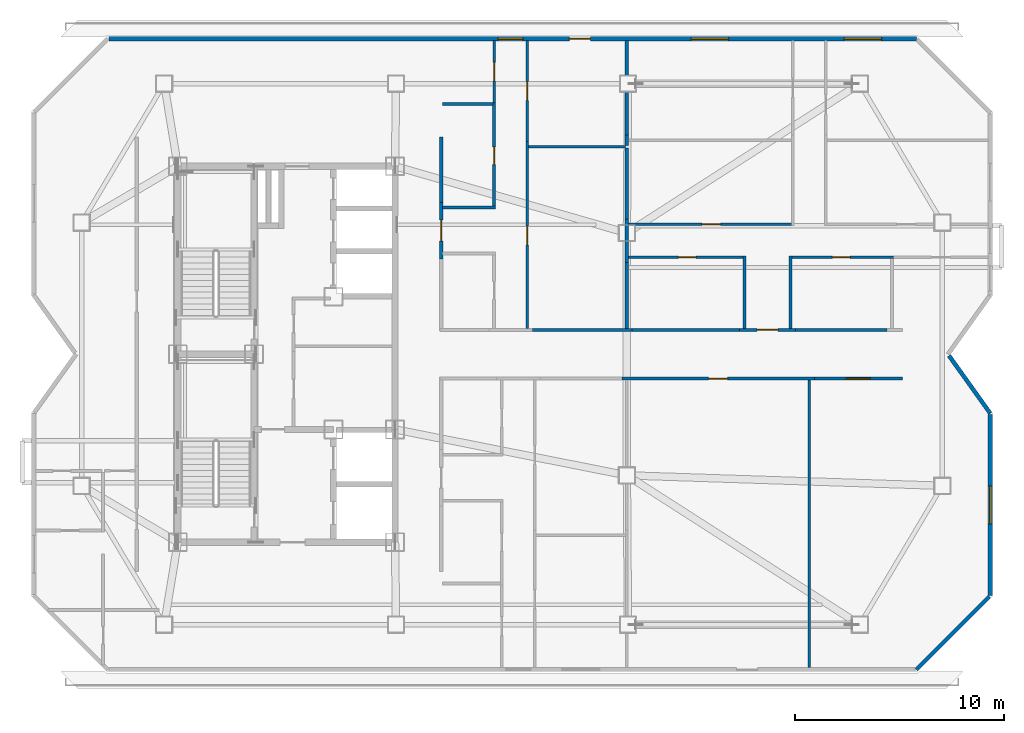
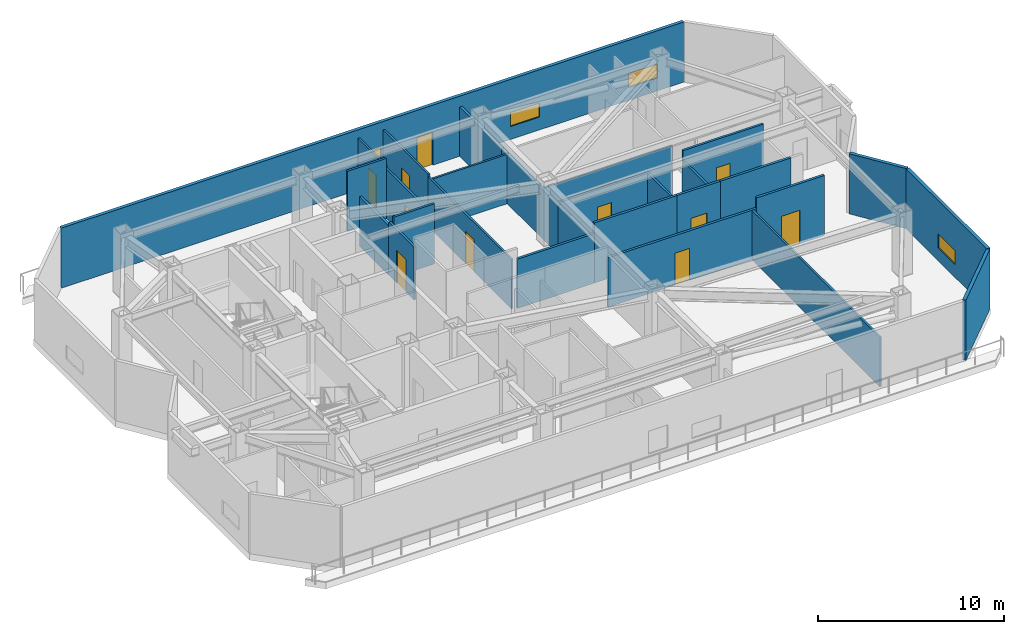
# One storey, part 6 of 11: 30 walls, 12 doors, 4 windows, 16 openings.
"""IFC4 building model written with IfcOpenShell, lengths in metres."""

from ifc_helpers import new_model, si_unit, direction, frame, frame_2d, origin, place, context, subcontext, project, spatial, rectangle, extrude, material, layer, layer_set, type_object, element, fill, save


model = new_model("IFC4")

# Units and contexts
model_context = context("Model", 3, precision=1e-05, world=origin(), true_north=direction((0.0, 1.0)))
body_context = subcontext(model_context, "Body", "Model", "MODEL_VIEW")
ifc_project = project(units=[si_unit("LENGTHUNIT", "METRE"), si_unit("AREAUNIT", "SQUARE_METRE"), si_unit("VOLUMEUNIT", "CUBIC_METRE"), si_unit("PLANEANGLEUNIT", "RADIAN"), si_unit("MASSUNIT", "GRAM", prefix="KILO")], contexts=[model_context])

# Site, building, storey
site_placement = place(None, origin())
site = spatial("IfcSite", under=ifc_project, at=site_placement, CompositionType="ELEMENT")
building_placement = place(site_placement, origin())
building = spatial("IfcBuilding", under=site, at=building_placement, Name="Khamvora Tower", CompositionType="ELEMENT")
storey_placement = place(building_placement, frame((0.0, 0.0, 269.449951171875)))
storey = spatial("IfcBuildingStorey", under=building, at=storey_placement, Name="L69", CompositionType="ELEMENT", Elevation=269.449951171875)

# Wall, opening, door
ifc_material_1 = material(Name="Fire-Rated Drywall and Steel Stud", Category="steel")
ifc_layer_1 = layer(ifc_material_1, 0.14990234375)
ifc_layer_set_1 = layer_set([ifc_layer_1], Name="Fire-Rated Drywall and Steel Stud")
wall_type_1 = type_object("IfcWallType", Name="WAL-CORR-150", PredefinedType="STANDARD", material=ifc_layer_set_1)
wall_1_placement = place(storey_placement, frame((59.47900390625, 26.8349609375, 0.0), z_axis=(0.0, 0.0, 1.0), x_axis=(-1.0, 0.0, 0.0)))
wall_1 = element("IfcWall", 1, at=wall_1_placement, inside=storey, type_object=wall_type_1, Name="L69 interior partition wall 005", PredefinedType="STANDARD", context=body_context, shape_type="SweptSolid", body=[
    extrude(rectangle(XDim=9.222900390625, YDim=0.14990234375, at=frame_2d((4.611328125, 0.0))), origin(), (0.0, 0.0, 1.0), 3.2451171875),
])
opening_1_placement = place(wall_1_placement, frame((4.160888671875, 0.0, 0.0)))
opening_1 = element("IfcOpeningElement", 2, at=opening_1_placement, cuts=wall_1, Name="Opening D-RM1", PredefinedType="OPENING", context=body_context, shape_type="SweptSolid", body=[
    extrude(rectangle(XDim=0.89990234375, YDim=2.10009765625, at=frame_2d((0.449951171875, 1.050048828125))), frame((0.0, 0.0849609375, 0.0), z_axis=(0.0, -1.0, 0.0), x_axis=(1.0, 0.0, 0.0)), (0.0, 0.0, 1.0), 0.169921875),
])
ifc_material_2 = material(Name="Powder-Coated Steel and Hardwood Leaf", Category="steel")
door_type_1 = type_object("IfcDoorType", Name="DOR-ROOM-900", OperationType="NOTDEFINED", PredefinedType="DOOR", material=ifc_material_2)
door_1_placement = place(opening_1_placement, origin())
door_1 = element("IfcDoor", 3, at=door_1_placement, inside=storey, type_object=door_type_1, Name="L69 interior door COR-CSAL", OperationType="SINGLE_SWING_RIGHT", OverallHeight=2.10009765625, OverallWidth=0.89990234375, PredefinedType="DOOR", context=body_context, shape_type="SweptSolid", body=[
    extrude(rectangle(XDim=0.89990234375, YDim=2.10009765625, at=frame_2d((0.449951171875, 1.050048828125))), frame((0.0, 0.02490234375, 0.0), z_axis=(0.0, -1.0, 0.0), x_axis=(1.0, 0.0, 0.0)), (0.0, 0.0, 1.0), 0.050048828125),
])
fill(opening_1, door_1)

wall_2_placement = place(storey_placement, frame((63.68994140625, 26.8349609375, 0.0), z_axis=(0.0, 0.0, 1.0), x_axis=(-1.0, 0.0, 0.0)))
wall_2 = element("IfcWall", 4, at=wall_2_placement, inside=storey, type_object=wall_type_1, Name="L69 interior partition wall 006", PredefinedType="STANDARD", context=body_context, shape_type="SweptSolid", body=[
    extrude(rectangle(XDim=4.2109375, YDim=0.14990234375, at=frame_2d((2.10546875, 0.0))), origin(), (0.0, 0.0, 1.0), 3.949951171875),
])
opening_2_placement = place(wall_2_placement, frame((1.531005859375, 0.0, 0.0)))
opening_2 = element("IfcOpeningElement", 5, at=opening_2_placement, cuts=wall_2, Name="Opening D-SC1", PredefinedType="OPENING", context=body_context, shape_type="SweptSolid", body=[
    extrude(rectangle(XDim=1.14990234375, YDim=2.199951171875, at=frame_2d((0.574951171875, 1.10009765625))), frame((0.0, 0.0849609375, 0.0), z_axis=(0.0, -1.0, 0.0), x_axis=(1.0, 0.0, 0.0)), (0.0, 0.0, 1.0), 0.169921875),
])
door_type_2 = type_object("IfcDoorType", Name="DOR-SCHL-1150", OperationType="NOTDEFINED", PredefinedType="DOOR", material=ifc_material_2)
door_2_placement = place(opening_2_placement, origin())
door_2 = element("IfcDoor", 6, at=door_2_placement, inside=storey, type_object=door_type_2, Name="L69 interior door COR-CLIB", OperationType="SINGLE_SWING_LEFT", OverallHeight=2.199951171875, OverallWidth=1.14990234375, PredefinedType="DOOR", context=body_context, shape_type="SweptSolid", body=[
    extrude(rectangle(XDim=1.14990234375, YDim=2.199951171875, at=frame_2d((0.574951171875, 1.10009765625))), frame((0.0, 0.02490234375, 0.0), z_axis=(0.0, -1.0, 0.0), x_axis=(1.0, 0.0, 0.0)), (0.0, 0.0, 1.0), 0.050048828125),
])
fill(opening_2, door_2)

wall_3_placement = place(storey_placement, frame((41.614990234375, 35.264892578125, 0.0), z_axis=(0.0, 0.0, 1.0), x_axis=(0.0, -1.0, 0.0)))
wall_3 = element("IfcWall", 7, at=wall_3_placement, inside=storey, type_object=wall_type_1, Name="L69 interior partition wall 016", PredefinedType="STANDARD", context=body_context, shape_type="SweptSolid", body=[
    extrude(rectangle(XDim=2.697998046875, YDim=0.14990234375, at=frame_2d((1.34912109375, 0.0))), origin(), (0.0, 0.0, 1.0), 3.48095703125),
])
opening_3_placement = place(wall_3_placement, frame((0.84912109375, 0.0, 0.0)))
opening_3 = element("IfcOpeningElement", 8, at=opening_3_placement, cuts=wall_3, Name="Opening D-U1", PredefinedType="OPENING", context=body_context, shape_type="SweptSolid", body=[
    extrude(rectangle(XDim=1.0, YDim=2.14990234375, at=frame_2d((0.5, 1.074951171875))), frame((0.0, 0.0849609375, 0.0), z_axis=(0.0, -1.0, 0.0), x_axis=(1.0, 0.0, 0.0)), (0.0, 0.0, 1.0), 0.169921875),
])
door_type_3 = type_object("IfcDoorType", Name="DOR-UNIT-1000", OperationType="NOTDEFINED", PredefinedType="DOOR", material=ifc_material_2)
door_3_placement = place(opening_3_placement, origin())
door_3 = element("IfcDoor", 9, at=door_3_placement, inside=storey, type_object=door_type_3, Name="L69 interior door COR-69CH", OperationType="SINGLE_SWING_LEFT", OverallHeight=2.14990234375, OverallWidth=1.0, PredefinedType="DOOR", context=body_context, shape_type="SweptSolid", body=[
    extrude(rectangle(XDim=1.0, YDim=2.14990234375, at=frame_2d((0.5, 1.074951171875))), frame((0.0, 0.02490234375, 0.0), z_axis=(0.0, -1.0, 0.0), x_axis=(1.0, 0.0, 0.0)), (0.0, 0.0, 1.0), 0.050048828125),
])
fill(opening_3, door_3)

# Walls
wall_4_placement = place(storey_placement, frame((41.614990234375, 38.39990234375, 0.0), z_axis=(0.0, 0.0, 1.0), x_axis=(0.0, -1.0, 0.0)))
element("IfcWall", 10, at=wall_4_placement, inside=storey, type_object=wall_type_1, Name="L69 interior partition wall 019", PredefinedType="STANDARD", context=body_context, shape_type="SweptSolid", body=[
    extrude(rectangle(XDim=3.135009765625, YDim=0.14990234375, at=frame_2d((1.5673828125, 0.0))), origin(), (0.0, 0.0, 1.0), 3.2451171875),
])
wall_5_placement = place(storey_placement, frame((45.97412109375, 29.1650390625, 0.0), z_axis=(0.0, 0.0, 1.0), x_axis=(1.0, 0.0, 0.0)))
element("IfcWall", 11, at=wall_5_placement, inside=storey, type_object=wall_type_1, Name="L69 interior partition wall 020", PredefinedType="STANDARD", context=body_context, shape_type="SweptSolid", body=[
    extrude(rectangle(XDim=4.769775390625, YDim=0.14990234375, at=frame_2d((2.384765625, 0.0))), origin(), (0.0, 0.0, 1.0), 3.2451171875),
])

# Wall, opening, door
wall_6_placement = place(storey_placement, frame((55.882080078125, 29.1650390625, 0.0), z_axis=(0.0, 0.0, 1.0), x_axis=(1.0, 0.0, 0.0)))
wall_6 = element("IfcWall", 12, at=wall_6_placement, inside=storey, type_object=wall_type_1, Name="L69 interior partition wall 022", PredefinedType="STANDARD", context=body_context, shape_type="SweptSolid", body=[
    extrude(rectangle(XDim=2.697998046875, YDim=0.14990234375, at=frame_2d((1.34912109375, 0.0))), origin(), (0.0, 0.0, 1.0), 3.949951171875),
])
opening_4_placement = place(wall_6_placement, frame((0.84912109375, 0.0, 0.0)))
opening_4 = element("IfcOpeningElement", 13, at=opening_4_placement, cuts=wall_6, Name="Opening D-U1", PredefinedType="OPENING", context=body_context, shape_type="SweptSolid", body=[
    extrude(rectangle(XDim=1.0, YDim=2.14990234375, at=frame_2d((0.5, 1.074951171875))), frame((0.0, 0.0849609375, 0.0), z_axis=(0.0, -1.0, 0.0), x_axis=(1.0, 0.0, 0.0)), (0.0, 0.0, 1.0), 0.169921875),
])
door_4_placement = place(opening_4_placement, origin())
door_4 = element("IfcDoor", 14, at=door_4_placement, inside=storey, type_object=door_type_3, Name="L69 interior door COR-69DH", OperationType="SINGLE_SWING_RIGHT", OverallHeight=2.14990234375, OverallWidth=1.0, PredefinedType="DOOR", context=body_context, shape_type="SweptSolid", body=[
    extrude(rectangle(XDim=1.0, YDim=2.14990234375, at=frame_2d((0.5, 1.074951171875))), frame((0.0, 0.02490234375, 0.0), z_axis=(0.0, -1.0, 0.0), x_axis=(1.0, 0.0, 0.0)), (0.0, 0.0, 1.0), 0.050048828125),
])
fill(opening_4, door_4)

# Walls
wall_7_placement = place(storey_placement, frame((58.580078125, 29.1650390625, 0.0), z_axis=(0.0, 0.0, 1.0), x_axis=(1.0, 0.0, 0.0)))
element("IfcWall", 15, at=wall_7_placement, inside=storey, type_object=wall_type_1, Name="L69 interior partition wall 023", PredefinedType="STANDARD", context=body_context, shape_type="SweptSolid", body=[
    extrude(rectangle(XDim=4.366943359375, YDim=0.14990234375, at=frame_2d((2.18359375, 0.0))), origin(), (0.0, 0.0, 1.0), 3.949951171875),
])
wall_8_placement = place(storey_placement, frame((50.743896484375, 29.1650390625, 0.0), z_axis=(0.0, 0.0, 1.0), x_axis=(1.0, 0.0, 0.0)))
element("IfcWall", 16, at=wall_8_placement, inside=storey, type_object=wall_type_1, Name="L69 interior partition wall 024", PredefinedType="STANDARD", context=body_context, shape_type="SweptSolid", body=[
    extrude(rectangle(XDim=5.13818359375, YDim=0.14990234375, at=frame_2d((2.569091796875, 0.0))), origin(), (0.0, 0.0, 1.0), 3.949951171875),
])
ifc_material_3 = material(Name="Acoustic Double-Stud Fire Wall", Category="gypsum")
ifc_layer_2 = layer(ifc_material_3, 0.179931640625)
ifc_layer_set_2 = layer_set([ifc_layer_2], Name="Acoustic Double-Stud Fire Wall")
wall_type_2 = type_object("IfcWallType", Name="WAL-CORR-180", PredefinedType="STANDARD", material=ifc_layer_set_2)
wall_9_placement = place(storey_placement, frame((50.4951171875, 34.464111328125, 0.0), z_axis=(0.0, 0.0, 1.0), x_axis=(0.0, -1.0, 0.0)))
element("IfcWall", 17, at=wall_9_placement, inside=storey, type_object=wall_type_2, Name="L69 interior partition wall 052", PredefinedType="STANDARD", context=body_context, shape_type="SweptSolid", body=[
    extrude(rectangle(XDim=2.069091796875, YDim=0.179931640625, at=frame_2d((1.03466796875, 0.0))), origin(), (0.0, 0.0, 1.0), 3.237060546875),
])
wall_10_placement = place(storey_placement, frame((50.4951171875, 32.39501953125, 0.0), z_axis=(0.0, 0.0, 1.0), x_axis=(0.0, -1.0, 0.0)))
element("IfcWall", 18, at=wall_10_placement, inside=storey, type_object=wall_type_2, Name="L69 interior partition wall 053", PredefinedType="STANDARD", context=body_context, shape_type="SweptSolid", body=[
    extrude(rectangle(XDim=3.1650390625, YDim=0.179931640625, at=frame_2d((1.58251953125, 0.0))), origin(), (0.0, 0.0, 1.0), 3.237060546875),
])
wall_11_placement = place(storey_placement, frame((50.4951171875, 37.873046875, 0.0), z_axis=(0.0, 0.0, 1.0), x_axis=(0.0, -1.0, 0.0)))
element("IfcWall", 19, at=wall_11_placement, inside=storey, type_object=wall_type_2, Name="L69 interior partition wall 054", PredefinedType="STANDARD", context=body_context, shape_type="SweptSolid", body=[
    extrude(rectangle(XDim=3.408935546875, YDim=0.179931640625, at=frame_2d((1.70458984375, 0.0))), origin(), (0.0, 0.0, 1.0), 3.2451171875),
])
wall_12_placement = place(storey_placement, frame((50.4951171875, 38.49609375, 0.0), z_axis=(0.0, 0.0, 1.0), x_axis=(0.0, -1.0, 0.0)))
element("IfcWall", 20, at=wall_12_placement, inside=storey, type_object=wall_type_2, Name="L69 interior partition wall 055", PredefinedType="STANDARD", context=body_context, shape_type="SweptSolid", body=[
    extrude(rectangle(XDim=0.4931640625, YDim=0.179931640625, at=frame_2d((0.24658203125, 0.0))), origin(), (0.0, 0.0, 1.0), 3.2451171875),
])
wall_13_placement = place(storey_placement, frame((50.4951171875, 43.008056640625, 0.0), z_axis=(0.0, 0.0, 1.0), x_axis=(0.0, -1.0, 0.0)))
element("IfcWall", 21, at=wall_13_placement, inside=storey, type_object=wall_type_2, Name="L69 interior partition wall 056", PredefinedType="STANDARD", context=body_context, shape_type="SweptSolid", body=[
    extrude(rectangle(XDim=4.511962890625, YDim=0.179931640625, at=frame_2d((2.255859375, 0.0))), origin(), (0.0, 0.0, 1.0), 3.2451171875),
])

# Wall, openings, door, windows
ifc_material_4 = material(Name="Precast concrete C40/50", Category="concrete")
ifc_layer_3 = layer(ifc_material_4, 0.199951171875)
ifc_layer_set_3 = layer_set([ifc_layer_3], Name="Precast concrete C40/50")
wall_type_3 = type_object("IfcWallType", Name="WAL-EXT-200", PredefinedType="STANDARD", material=ifc_layer_set_3)
wall_14_placement = place(storey_placement, frame((25.701904296875, 43.10009765625, 0.0), z_axis=(0.0, 0.0, 1.0), x_axis=(1.0, 0.0, 0.0)))
wall_14 = element("IfcWall", 22, at=wall_14_placement, inside=storey, type_object=wall_type_3, Name="L69 exterior facade wall 07.1", PredefinedType="STANDARD", context=body_context, shape_type="SweptSolid", body=[
    extrude(rectangle(XDim=38.656982421875, YDim=0.199951171875, at=frame_2d((19.32861328125, 0.0))), origin(), (0.0, 0.0, 1.0), 3.949951171875),
])
opening_5_placement = place(wall_14_placement, frame((22.050048828125, 0.0, 0.0)))
opening_5 = element("IfcOpeningElement", 23, at=opening_5_placement, cuts=wall_14, Name="Opening BD-02", PredefinedType="OPENING", context=body_context, shape_type="SweptSolid", body=[
    extrude(rectangle(XDim=1.0, YDim=2.14990234375, at=frame_2d((0.5, 1.074951171875))), frame((0.0, 0.10986328125, 0.0), z_axis=(0.0, -1.0, 0.0), x_axis=(1.0, 0.0, 0.0)), (0.0, 0.0, 1.0), 0.219970703125),
])
opening_6_placement = place(wall_14_placement, frame((18.633056640625, 0.0, 0.780029296875)))
opening_6 = element("IfcOpeningElement", 24, at=opening_6_placement, cuts=wall_14, Name="Opening WN-03", PredefinedType="OPENING", context=body_context, shape_type="SweptSolid", body=[
    extrude(rectangle(XDim=1.199951171875, YDim=1.5, at=frame_2d((0.60009765625, 0.75))), frame((0.0, 0.10986328125, 0.0), z_axis=(0.0, -1.0, 0.0), x_axis=(1.0, 0.0, 0.0)), (0.0, 0.0, 1.0), 0.219970703125),
])
opening_7_placement = place(wall_14_placement, frame((27.873046875, 0.0, 0.85009765625)))
opening_7 = element("IfcOpeningElement", 25, at=opening_7_placement, cuts=wall_14, Name="Opening WN-09", PredefinedType="OPENING", context=body_context, shape_type="SweptSolid", body=[
    extrude(rectangle(XDim=1.800048828125, YDim=0.919921875, at=frame_2d((0.89990234375, 0.4599609375))), frame((0.0, 0.10986328125, 0.0), z_axis=(0.0, -1.0, 0.0), x_axis=(1.0, 0.0, 0.0)), (0.0, 0.0, 1.0), 0.219970703125),
])
opening_8_placement = place(wall_14_placement, frame((35.193115234375, 0.0, 0.85009765625)))
opening_8 = element("IfcOpeningElement", 26, at=opening_8_placement, cuts=wall_14, Name="Opening WN-09", PredefinedType="OPENING", context=body_context, shape_type="SweptSolid", body=[
    extrude(rectangle(XDim=1.800048828125, YDim=0.919921875, at=frame_2d((0.89990234375, 0.4599609375))), frame((0.0, 0.10986328125, 0.0), z_axis=(0.0, -1.0, 0.0), x_axis=(1.0, 0.0, 0.0)), (0.0, 0.0, 1.0), 0.219970703125),
])
ifc_material_5 = material(Name="Anodised Aluminium and Laminated Safety Glass", Category="aluminium")
door_type_4 = type_object("IfcDoorType", Name="DOR-BAL-1000", OperationType="NOTDEFINED", PredefinedType="DOOR", material=ifc_material_5)
door_5_placement = place(opening_5_placement, origin())
door_5 = element("IfcDoor", 27, at=door_5_placement, inside=storey, type_object=door_type_4, Name="L69 stepped roof terrace access door N", OperationType="SLIDING_TO_LEFT", OverallHeight=2.14990234375, OverallWidth=1.0, PredefinedType="DOOR", context=body_context, shape_type="SweptSolid", body=[
    extrude(rectangle(XDim=1.0, YDim=2.14990234375, at=frame_2d((0.5, 1.074951171875))), frame((0.0, 0.02490234375, 0.0), z_axis=(0.0, -1.0, 0.0), x_axis=(1.0, 0.0, 0.0)), (0.0, 0.0, 1.0), 0.050048828125),
])
fill(opening_5, door_5)
ifc_material_6 = material(Name="Low-E Laminated Double Glazing", Category="glass")
window_type_1 = type_object("IfcWindowType", Name="WIN-CLR-1800x920", PartitioningType="SINGLE_PANEL", PredefinedType="WINDOW", material=ifc_material_6)
window_1_placement = place(opening_7_placement, origin())
window_1 = element("IfcWindow", 28, at=window_1_placement, inside=storey, type_object=window_type_1, Name="L69 vision window 07.1.02", OverallHeight=0.919921875, OverallWidth=1.800048828125, PartitioningType="SINGLE_PANEL", PredefinedType="WINDOW", context=body_context, shape_type="SweptSolid", body=[
    extrude(rectangle(XDim=1.800048828125, YDim=0.919921875, at=frame_2d((0.89990234375, 0.4599609375))), frame((0.0, 0.030029296875, 0.0), z_axis=(0.0, -1.0, 0.0), x_axis=(1.0, 0.0, 0.0)), (0.0, 0.0, 1.0), 0.06005859375),
])
fill(opening_7, window_1)
window_2_placement = place(opening_8_placement, origin())
window_2 = element("IfcWindow", 29, at=window_2_placement, inside=storey, type_object=window_type_1, Name="L69 vision window 07.1.03", OverallHeight=0.919921875, OverallWidth=1.800048828125, PartitioningType="SINGLE_PANEL", PredefinedType="WINDOW", context=body_context, shape_type="SweptSolid", body=[
    extrude(rectangle(XDim=1.800048828125, YDim=0.919921875, at=frame_2d((0.89990234375, 0.4599609375))), frame((0.0, 0.030029296875, 0.0), z_axis=(0.0, -1.0, 0.0), x_axis=(1.0, 0.0, 0.0)), (0.0, 0.0, 1.0), 0.06005859375),
])
fill(opening_8, window_2)
window_type_2 = type_object("IfcWindowType", Name="WIN-VIS-1200x1500", PartitioningType="SINGLE_PANEL", PredefinedType="WINDOW", material=ifc_material_6)
window_3_placement = place(opening_6_placement, origin())
window_3 = element("IfcWindow", 30, at=window_3_placement, inside=storey, type_object=window_type_2, Name="L69 vision window 07.1.01", OverallHeight=1.5, OverallWidth=1.199951171875, PartitioningType="SINGLE_PANEL", PredefinedType="WINDOW", context=body_context, shape_type="SweptSolid", body=[
    extrude(rectangle(XDim=1.199951171875, YDim=1.5, at=frame_2d((0.60009765625, 0.75))), frame((0.0, 0.030029296875, 0.0), z_axis=(0.0, -1.0, 0.0), x_axis=(1.0, 0.0, 0.0)), (0.0, 0.0, 1.0), 0.06005859375),
])
fill(opening_6, window_3)

# Wall
wall_15_placement = place(storey_placement, frame((65.926025390625, 27.930908203125, 0.0), z_axis=(0.0, 0.0, 1.0), x_axis=(0.581306204583, -0.813684887726, 0.0)))
element("IfcWall", 31, at=wall_15_placement, inside=storey, type_object=wall_type_3, Name="L69 exterior facade wall 11.1", PredefinedType="STANDARD", context=body_context, shape_type="SweptSolid", body=[
    extrude(rectangle(XDim=3.3955078125, YDim=0.199951171875, at=frame_2d((1.69775390625, 0.0))), origin(), (0.0, 0.0, 1.0), 3.949951171875),
])

# Wall, opening, window
wall_16_placement = place(storey_placement, frame((67.89990234375, 25.117919921875, 0.0), z_axis=(0.0, 0.0, 1.0), x_axis=(0.0, -1.0, 0.0)))
wall_16 = element("IfcWall", 32, at=wall_16_placement, inside=storey, type_object=wall_type_3, Name="L69 exterior facade wall 12.1", PredefinedType="STANDARD", context=body_context, shape_type="SweptSolid", body=[
    extrude(rectangle(XDim=8.677001953125, YDim=0.199951171875, at=frame_2d((4.33837890625, 0.0))), origin(), (0.0, 0.0, 1.0), 3.949951171875),
])
opening_9_placement = place(wall_16_placement, frame((3.43798828125, 0.0, 0.85009765625)))
opening_9 = element("IfcOpeningElement", 33, at=opening_9_placement, cuts=wall_16, Name="Opening WN-09", PredefinedType="OPENING", context=body_context, shape_type="SweptSolid", body=[
    extrude(rectangle(XDim=1.800048828125, YDim=0.919921875, at=frame_2d((0.89990234375, 0.4599609375))), frame((0.0, 0.10986328125, 0.0), z_axis=(0.0, -1.0, 0.0), x_axis=(1.0, 0.0, 0.0)), (0.0, 0.0, 1.0), 0.219970703125),
])
window_4_placement = place(opening_9_placement, origin())
window_4 = element("IfcWindow", 34, at=window_4_placement, inside=storey, type_object=window_type_1, Name="L69 vision window 12.1.01", OverallHeight=0.919921875, OverallWidth=1.800048828125, PartitioningType="SINGLE_PANEL", PredefinedType="WINDOW", context=body_context, shape_type="SweptSolid", body=[
    extrude(rectangle(XDim=1.800048828125, YDim=0.919921875, at=frame_2d((0.89990234375, 0.4599609375))), frame((0.0, 0.030029296875, 0.0), z_axis=(0.0, -1.0, 0.0), x_axis=(1.0, 0.0, 0.0)), (0.0, 0.0, 1.0), 0.06005859375),
])
fill(opening_9, window_4)

# Walls
wall_17_placement = place(storey_placement, frame((67.85498046875, 16.39599609375, 0.0), z_axis=(0.0, 0.0, 1.0), x_axis=(-0.707106781187, -0.707106781187, 0.0)))
element("IfcWall", 35, at=wall_17_placement, inside=storey, type_object=wall_type_3, Name="L69 exterior facade wall 13.1", PredefinedType="STANDARD", context=body_context, shape_type="SweptSolid", body=[
    extrude(rectangle(XDim=4.9443359375, YDim=0.199951171875, at=frame_2d((2.47216796875, 0.0))), origin(), (0.0, 0.0, 1.0), 3.949951171875),
])
ifc_material_7 = material(Name="Gypsum Plasterboard Partition", Category="gypsum")
ifc_layer_4 = layer(ifc_material_7, 0.1201171875)
ifc_layer_set_4 = layer_set([ifc_layer_4], Name="Gypsum Plasterboard Partition")
wall_type_4 = type_object("IfcWallType", Name="WAL-PART-120", PredefinedType="PARTITIONING", material=ifc_layer_set_4)
wall_18_placement = place(storey_placement, frame((59.22998046875, 26.77001953125, 0.0), z_axis=(0.0, 0.0, 1.0), x_axis=(0.0, -1.0, 0.0)))
element("IfcWall", 36, at=wall_18_placement, inside=storey, type_object=wall_type_4, Name="L69 interior partition wall 025", PredefinedType="PARTITIONING", context=body_context, shape_type="SweptSolid", body=[
    extrude(rectangle(XDim=13.778076171875, YDim=0.1201171875, at=frame_2d((6.88916015625, 0.0))), origin(), (0.0, 0.0, 1.0), 3.2451171875),
])

# Wall, opening, door
wall_19_placement = place(storey_placement, frame((44.14501953125, 43.008056640625, 0.0), z_axis=(0.0, 0.0, 1.0), x_axis=(0.0, -1.0, 0.0)))
wall_19 = element("IfcWall", 37, at=wall_19_placement, inside=storey, type_object=wall_type_4, Name="L69 interior partition wall 043", PredefinedType="PARTITIONING", context=body_context, shape_type="SweptSolid", body=[
    extrude(rectangle(XDim=2.962158203125, YDim=0.1201171875, at=frame_2d((1.48095703125, 0.0))), origin(), (0.0, 0.0, 1.0), 3.406982421875),
])
opening_10_placement = place(wall_19_placement, frame((1.031005859375, 0.0, 0.0)))
opening_10 = element("IfcOpeningElement", 38, at=opening_10_placement, cuts=wall_19, Name="Opening D-RM1", PredefinedType="OPENING", context=body_context, shape_type="SweptSolid", body=[
    extrude(rectangle(XDim=0.89990234375, YDim=2.10009765625, at=frame_2d((0.449951171875, 1.050048828125))), frame((0.0, 0.070068359375, 0.0), z_axis=(0.0, -1.0, 0.0), x_axis=(1.0, 0.0, 0.0)), (0.0, 0.0, 1.0), 0.14013671875),
])
door_6_placement = place(opening_10_placement, origin())
door_6 = element("IfcDoor", 39, at=door_6_placement, inside=storey, type_object=door_type_1, Name="L69 interior door 69CW2-69CH", OperationType="SINGLE_SWING_RIGHT", OverallHeight=2.10009765625, OverallWidth=0.89990234375, PredefinedType="DOOR", context=body_context, shape_type="SweptSolid", body=[
    extrude(rectangle(XDim=0.89990234375, YDim=2.10009765625, at=frame_2d((0.449951171875, 1.050048828125))), frame((0.0, 0.02490234375, 0.0), z_axis=(0.0, -1.0, 0.0), x_axis=(1.0, 0.0, 0.0)), (0.0, 0.0, 1.0), 0.050048828125),
])
fill(opening_10, door_6)

wall_20_placement = place(storey_placement, frame((45.72509765625, 38.18701171875, 0.0), z_axis=(0.0, 0.0, 1.0), x_axis=(0.0, -1.0, 0.0)))
wall_20 = element("IfcWall", 40, at=wall_20_placement, inside=storey, type_object=wall_type_4, Name="L69 interior partition wall 049", PredefinedType="PARTITIONING", context=body_context, shape_type="SweptSolid", body=[
    extrude(rectangle(XDim=8.95703125, YDim=0.1201171875, at=frame_2d((4.478515625, 0.0))), origin(), (0.0, 0.0, 1.0), 3.2451171875),
])
opening_11_placement = place(wall_20_placement, frame((4.050048828125, 0.0, 0.0)))
opening_11 = element("IfcOpeningElement", 41, at=opening_11_placement, cuts=wall_20, Name="Opening D-RM1", PredefinedType="OPENING", context=body_context, shape_type="SweptSolid", body=[
    extrude(rectangle(XDim=0.89990234375, YDim=2.10009765625, at=frame_2d((0.449951171875, 1.050048828125))), frame((0.0, 0.070068359375, 0.0), z_axis=(0.0, -1.0, 0.0), x_axis=(1.0, 0.0, 0.0)), (0.0, 0.0, 1.0), 0.14013671875),
])
door_7_placement = place(opening_11_placement, origin())
door_7 = element("IfcDoor", 42, at=door_7_placement, inside=storey, type_object=door_type_1, Name="L69 interior door 69CH-69CR1", OperationType="SINGLE_SWING_LEFT", OverallHeight=2.10009765625, OverallWidth=0.89990234375, PredefinedType="DOOR", context=body_context, shape_type="SweptSolid", body=[
    extrude(rectangle(XDim=0.89990234375, YDim=2.10009765625, at=frame_2d((0.449951171875, 1.050048828125))), frame((0.0, 0.02490234375, 0.0), z_axis=(0.0, -1.0, 0.0), x_axis=(1.0, 0.0, 0.0)), (0.0, 0.0, 1.0), 0.050048828125),
])
fill(opening_11, door_7)

wall_21_placement = place(storey_placement, frame((45.72509765625, 43.008056640625, 0.0), z_axis=(0.0, 0.0, 1.0), x_axis=(0.0, -1.0, 0.0)))
wall_21 = element("IfcWall", 43, at=wall_21_placement, inside=storey, type_object=wall_type_4, Name="L69 interior partition wall 050", PredefinedType="PARTITIONING", context=body_context, shape_type="SweptSolid", body=[
    extrude(rectangle(XDim=4.821044921875, YDim=0.1201171875, at=frame_2d((2.41064453125, 0.0))), origin(), (0.0, 0.0, 1.0), 3.406982421875),
])
opening_12_placement = place(wall_21_placement, frame((1.9599609375, 0.0, 0.0)))
opening_12 = element("IfcOpeningElement", 44, at=opening_12_placement, cuts=wall_21, Name="Opening D-RM1", PredefinedType="OPENING", context=body_context, shape_type="SweptSolid", body=[
    extrude(rectangle(XDim=0.89990234375, YDim=2.10009765625, at=frame_2d((0.449951171875, 1.050048828125))), frame((0.0, 0.070068359375, 0.0), z_axis=(0.0, -1.0, 0.0), x_axis=(1.0, 0.0, 0.0)), (0.0, 0.0, 1.0), 0.14013671875),
])
door_8_placement = place(opening_12_placement, origin())
door_8 = element("IfcDoor", 45, at=door_8_placement, inside=storey, type_object=door_type_1, Name="L69 interior door 69CH-69CR2", OperationType="SINGLE_SWING_RIGHT", OverallHeight=2.10009765625, OverallWidth=0.89990234375, PredefinedType="DOOR", context=body_context, shape_type="SweptSolid", body=[
    extrude(rectangle(XDim=0.89990234375, YDim=2.10009765625, at=frame_2d((0.449951171875, 1.050048828125))), frame((0.0, 0.02490234375, 0.0), z_axis=(0.0, -1.0, 0.0), x_axis=(1.0, 0.0, 0.0)), (0.0, 0.0, 1.0), 0.050048828125),
])
fill(opening_12, door_8)

# Wall
wall_22_placement = place(storey_placement, frame((45.779052734375, 37.93798828125, 0.0), z_axis=(0.0, 0.0, 1.0), x_axis=(1.0, 0.0, 0.0)))
element("IfcWall", 46, at=wall_22_placement, inside=storey, type_object=wall_type_4, Name="L69 interior partition wall 051", PredefinedType="PARTITIONING", context=body_context, shape_type="SweptSolid", body=[
    extrude(rectangle(XDim=4.65087890625, YDim=0.1201171875, at=frame_2d((2.325439453125, 0.0))), origin(), (0.0, 0.0, 1.0), 3.2451171875),
])

# Wall, opening, door
wall_23_placement = place(storey_placement, frame((50.576904296875, 34.219970703125, 0.0), z_axis=(0.0, 0.0, 1.0), x_axis=(1.0, 0.0, 0.0)))
wall_23 = element("IfcWall", 47, at=wall_23_placement, inside=storey, type_object=wall_type_4, Name="L69 interior partition wall 063", PredefinedType="PARTITIONING", context=body_context, shape_type="SweptSolid", body=[
    extrude(rectangle(XDim=7.93310546875, YDim=0.1201171875, at=frame_2d((3.966552734375, 0.0))), origin(), (0.0, 0.0, 1.0), 3.237060546875),
])
opening_13_placement = place(wall_23_placement, frame((3.51611328125, 0.0, 0.0)))
opening_13 = element("IfcOpeningElement", 48, at=opening_13_placement, cuts=wall_23, Name="Opening D-RM1", PredefinedType="OPENING", context=body_context, shape_type="SweptSolid", body=[
    extrude(rectangle(XDim=0.89990234375, YDim=2.10009765625, at=frame_2d((0.449951171875, 1.050048828125))), frame((0.0, 0.070068359375, 0.0), z_axis=(0.0, -1.0, 0.0), x_axis=(1.0, 0.0, 0.0)), (0.0, 0.0, 1.0), 0.14013671875),
])
door_9_placement = place(opening_13_placement, origin())
door_9 = element("IfcDoor", 49, at=door_9_placement, inside=storey, type_object=door_type_1, Name="L69 interior door 69DH-69DL", OperationType="SINGLE_SWING_RIGHT", OverallHeight=2.10009765625, OverallWidth=0.89990234375, PredefinedType="DOOR", context=body_context, shape_type="SweptSolid", body=[
    extrude(rectangle(XDim=0.89990234375, YDim=2.10009765625, at=frame_2d((0.449951171875, 1.050048828125))), frame((0.0, 0.02490234375, 0.0), z_axis=(0.0, -1.0, 0.0), x_axis=(1.0, 0.0, 0.0)), (0.0, 0.0, 1.0), 0.050048828125),
])
fill(opening_13, door_9)

# Walls
ifc_material_8 = material(Name="Moisture-Resistant Plasterboard Partition", Category="gypsum")
ifc_layer_5 = layer(ifc_material_8, 0.135009765625)
ifc_layer_set_5 = layer_set([ifc_layer_5], Name="Moisture-Resistant Plasterboard Partition")
wall_type_5 = type_object("IfcWallType", Name="WAL-WET-135", PredefinedType="PARTITIONING", material=ifc_layer_set_5)
wall_24_placement = place(storey_placement, frame((44.080078125, 39.98095703125, 0.0), z_axis=(0.0, 0.0, 1.0), x_axis=(-1.0, 0.0, 0.0)))
element("IfcWall", 50, at=wall_24_placement, inside=storey, type_object=wall_type_5, Name="L69 interior partition wall 044", PredefinedType="PARTITIONING", context=body_context, shape_type="SweptSolid", body=[
    extrude(rectangle(XDim=2.400146484375, YDim=0.135009765625, at=frame_2d((1.2001953125, 0.0))), origin(), (0.0, 0.0, 1.0), 3.949951171875),
])
wall_25_placement = place(storey_placement, frame((41.681884765625, 35.01611328125, 0.0), z_axis=(0.0, 0.0, 1.0), x_axis=(1.0, 0.0, 0.0)))
element("IfcWall", 51, at=wall_25_placement, inside=storey, type_object=wall_type_5, Name="L69 interior partition wall 047", PredefinedType="PARTITIONING", context=body_context, shape_type="SweptSolid", body=[
    extrude(rectangle(XDim=2.528076171875, YDim=0.135009765625, at=frame_2d((1.26416015625, 0.0))), origin(), (0.0, 0.0, 1.0), 3.949951171875),
])

# Wall, opening, door
wall_26_placement = place(storey_placement, frame((44.14501953125, 34.950927734375, 0.0), z_axis=(0.0, 0.0, 1.0), x_axis=(0.0, 1.0, 0.0)))
wall_26 = element("IfcWall", 52, at=wall_26_placement, inside=storey, type_object=wall_type_5, Name="L69 interior partition wall 048", PredefinedType="PARTITIONING", context=body_context, shape_type="SweptSolid", body=[
    extrude(rectangle(XDim=5.094970703125, YDim=0.135009765625, at=frame_2d((2.54736328125, 0.0))), origin(), (0.0, 0.0, 1.0), 3.2451171875),
])
opening_14_placement = place(wall_26_placement, frame((2.123046875, 0.0, 0.0)))
opening_14 = element("IfcOpeningElement", 53, at=opening_14_placement, cuts=wall_26, Name="Opening D-RM2", PredefinedType="OPENING", context=body_context, shape_type="SweptSolid", body=[
    extrude(rectangle(XDim=0.85009765625, YDim=2.10009765625, at=frame_2d((0.425048828125, 1.050048828125))), frame((0.0, 0.077392578125, 0.0), z_axis=(0.0, -1.0, 0.0), x_axis=(1.0, 0.0, 0.0)), (0.0, 0.0, 1.0), 0.155029296875),
])
door_type_5 = type_object("IfcDoorType", Name="DOR-ROOM-850", OperationType="NOTDEFINED", PredefinedType="DOOR", material=ifc_material_2)
door_10_placement = place(opening_14_placement, origin())
door_10 = element("IfcDoor", 54, at=door_10_placement, inside=storey, type_object=door_type_5, Name="L69 interior door 69CH-69CK", OperationType="SINGLE_SWING_RIGHT", OverallHeight=2.10009765625, OverallWidth=0.85009765625, PredefinedType="DOOR", context=body_context, shape_type="SweptSolid", body=[
    extrude(rectangle(XDim=0.85009765625, YDim=2.10009765625, at=frame_2d((0.425048828125, 1.050048828125))), frame((0.0, 0.02490234375, 0.0), z_axis=(0.0, -1.0, 0.0), x_axis=(1.0, 0.0, 0.0)), (0.0, 0.0, 1.0), 0.050048828125),
])
fill(opening_14, door_10)

wall_27_placement = place(storey_placement, frame((63.260986328125, 32.639892578125, 0.0), z_axis=(0.0, 0.0, 1.0), x_axis=(-1.0, 0.0, 0.0)))
wall_27 = element("IfcWall", 55, at=wall_27_placement, inside=storey, type_object=wall_type_5, Name="L69 interior partition wall 059", PredefinedType="PARTITIONING", context=body_context, shape_type="SweptSolid", body=[
    extrude(rectangle(XDim=4.994873046875, YDim=0.135009765625, at=frame_2d((2.49755859375, 0.0))), origin(), (0.0, 0.0, 1.0), 3.949951171875),
])
opening_15_placement = place(wall_27_placement, frame((2.072998046875, 0.0, 0.0)))
opening_15 = element("IfcOpeningElement", 56, at=opening_15_placement, cuts=wall_27, Name="Opening D-WC1", PredefinedType="OPENING", context=body_context, shape_type="SweptSolid", body=[
    extrude(rectangle(XDim=0.85009765625, YDim=2.10009765625, at=frame_2d((0.425048828125, 1.050048828125))), frame((0.0, 0.077392578125, 0.0), z_axis=(0.0, -1.0, 0.0), x_axis=(1.0, 0.0, 0.0)), (0.0, 0.0, 1.0), 0.155029296875),
])
door_type_6 = type_object("IfcDoorType", Name="DOR-WET-850", OperationType="NOTDEFINED", PredefinedType="DOOR", material=ifc_material_2)
door_11_placement = place(opening_15_placement, origin())
door_11 = element("IfcDoor", 57, at=door_11_placement, inside=storey, type_object=door_type_6, Name="L69 interior door 69DH-69DB", OperationType="SINGLE_SWING_RIGHT", OverallHeight=2.10009765625, OverallWidth=0.85009765625, PredefinedType="DOOR", context=body_context, shape_type="SweptSolid", body=[
    extrude(rectangle(XDim=0.85009765625, YDim=2.10009765625, at=frame_2d((0.425048828125, 1.050048828125))), frame((0.0, 0.02490234375, 0.0), z_axis=(0.0, -1.0, 0.0), x_axis=(1.0, 0.0, 0.0)), (0.0, 0.0, 1.0), 0.050048828125),
])
fill(opening_15, door_11)

# Walls
for number, where, z_axis, x_axis, name in (
    (58, (58.3310546875, 32.705078125, 0.0), (0.0, 0.0, 1.0), (0.0, -1.0, 0.0), "L69 interior partition wall 060"),
    (59, (56.131103515625, 29.22998046875, 0.0), (0.0, 0.0, 1.0), (0.0, 1.0, 0.0), "L69 interior partition wall 061"),
):
    element("IfcWall", number, at=place(storey_placement, frame(where, z_axis=z_axis, x_axis=x_axis)), inside=storey, type_object=wall_type_5, Name=name, PredefinedType="PARTITIONING", context=body_context, shape_type="SweptSolid", body=[
        extrude(rectangle(XDim=3.47509765625, YDim=0.135009765625, at=frame_2d((1.737548828125, 0.0))), origin(), (0.0, 0.0, 1.0), 3.237060546875),
    ])

# Wall, opening, door
wall_28_placement = place(storey_placement, frame((56.196044921875, 32.639892578125, 0.0), z_axis=(0.0, 0.0, 1.0), x_axis=(-1.0, 0.0, 0.0)))
wall_28 = element("IfcWall", 60, at=wall_28_placement, inside=storey, type_object=wall_type_5, Name="L69 interior partition wall 062", PredefinedType="PARTITIONING", context=body_context, shape_type="SweptSolid", body=[
    extrude(rectangle(XDim=5.619140625, YDim=0.135009765625, at=frame_2d((2.8095703125, 0.0))), origin(), (0.0, 0.0, 1.0), 3.2451171875),
])
opening_16_placement = place(wall_28_placement, frame((2.385009765625, 0.0, 0.0)))
opening_16 = element("IfcOpeningElement", 61, at=opening_16_placement, cuts=wall_28, Name="Opening D-RM2", PredefinedType="OPENING", context=body_context, shape_type="SweptSolid", body=[
    extrude(rectangle(XDim=0.85009765625, YDim=2.10009765625, at=frame_2d((0.425048828125, 1.050048828125))), frame((0.0, 0.077392578125, 0.0), z_axis=(0.0, -1.0, 0.0), x_axis=(1.0, 0.0, 0.0)), (0.0, 0.0, 1.0), 0.155029296875),
])
door_12_placement = place(opening_16_placement, origin())
door_12 = element("IfcDoor", 62, at=door_12_placement, inside=storey, type_object=door_type_5, Name="L69 interior door 69DH-69DK", OperationType="SINGLE_SWING_LEFT", OverallHeight=2.10009765625, OverallWidth=0.85009765625, PredefinedType="DOOR", context=body_context, shape_type="SweptSolid", body=[
    extrude(rectangle(XDim=0.85009765625, YDim=2.10009765625, at=frame_2d((0.425048828125, 1.050048828125))), frame((0.0, 0.02490234375, 0.0), z_axis=(0.0, -1.0, 0.0), x_axis=(1.0, 0.0, 0.0)), (0.0, 0.0, 1.0), 0.050048828125),
])
fill(opening_16, door_12)

save(model, "model.ifc")
